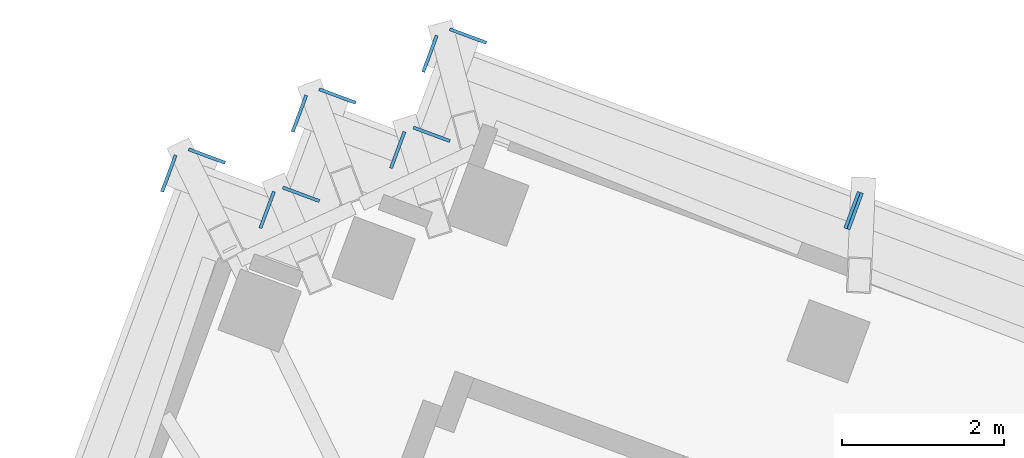
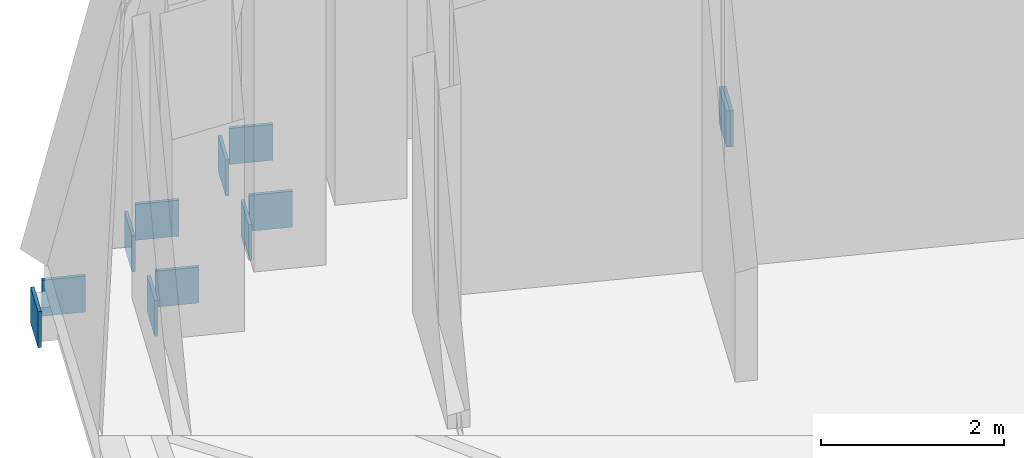
# One storey, part 11 of 12: 12 discrete accessories, 7 elements without a shape of their own.
"""IFC4 building model written with IfcOpenShell, lengths in metres."""

from ifc_helpers import new_model, si_unit, direction, frame, origin, place, context, subcontext, project, spatial, polyline, outline, extrude, material, layer, layer_set, type_object, element, aggregate, save


model = new_model("IFC4")

# Units and contexts
model_context = context("Model", 3, precision=1e-05, world=origin(), true_north=direction((0.0, 1.0)))
body_context = subcontext(model_context, "Body", "Model", "MODEL_VIEW")
ifc_project = project(units=[si_unit("LENGTHUNIT", "METRE"), si_unit("AREAUNIT", "SQUARE_METRE"), si_unit("VOLUMEUNIT", "CUBIC_METRE"), si_unit("PLANEANGLEUNIT", "RADIAN"), si_unit("MASSUNIT", "GRAM", prefix="KILO")], contexts=[model_context])

# Site, building, storey
site_placement = place(None, origin())
site = spatial("IfcSite", under=ifc_project, at=site_placement, CompositionType="ELEMENT")
building_placement = place(site_placement, origin())
building = spatial("IfcBuilding", under=site, at=building_placement, Name="Cantera Rosa Tower", CompositionType="ELEMENT")
storey_placement = place(building_placement, frame((0.0, 0.0, 360.699951171875)))
storey = spatial("IfcBuildingStorey", under=building, at=storey_placement, Name="L81", CompositionType="ELEMENT", Elevation=360.699951171875)

# Curtain wall, discrete accessory
ifc_material_1 = material(Name="Aluminium frame with clear glass", Category="aluminium")
curtain_wall_type = type_object("IfcCurtainWallType", Name="CW4 CROWN GLAZING", PredefinedType="NOTDEFINED", material=ifc_material_1)
curtain_wall_1_placement = place(storey_placement, origin())
curtain_wall_1 = element("IfcCurtainWall", 1, at=curtain_wall_1_placement, inside=storey, type_object=curtain_wall_type, Name="CW4 L81-04", PredefinedType="NOTDEFINED")
ifc_material_2 = material(Name="Steel S355J2 (EN 10025-2)", Category="steel")
ifc_layer = layer(ifc_material_2, 0.030029296875)
ifc_layer_set = layer_set([ifc_layer], Name="NODE PLATE 30")
discrete_accessory_type = type_object("IfcDiscreteAccessoryType", Name="NODE PLATE 30", PredefinedType="ANCHORPLATE", material=ifc_layer_set)
discrete_accessory_1_placement = place(storey_placement, frame((0.43798828125, 14.855712890625, -0.43505859375), z_axis=(-0.937681233018, 0.347496626235, 0.0), x_axis=(0.347496626235, 0.937681233018, 0.0)))
discrete_accessory_1 = element("IfcDiscreteAccessory", 2, at=discrete_accessory_1_placement, type_object=discrete_accessory_type, Name="END PLATE TE1", PredefinedType="ANCHORPLATE", context=body_context, shape_type="SweptSolid", body=[
    extrude(outline(polyline([(0.0, 0.0), (0.4798551533622547, 0.0), (0.4798551533622547, 0.47998046875), (0.0, 0.47998046875), (0.0, 0.0)])), origin(), (0.0, 0.0, -1.0), 0.0400390625),
])
aggregate(curtain_wall_1, [discrete_accessory_1])

# Curtain wall, discrete accessories
curtain_wall_2_placement = place(storey_placement, origin())
curtain_wall_2 = element("IfcCurtainWall", 3, at=curtain_wall_2_placement, inside=storey, type_object=curtain_wall_type, Name="CW4 L81-05", PredefinedType="NOTDEFINED")
discrete_accessory_2_placement = place(storey_placement, frame((0.6796875, 15.278076171875, -0.43505859375), z_axis=(0.937742626232, -0.347330918501, 0.0), x_axis=(-0.347330918501, -0.937742626232, 0.0)))
discrete_accessory_2 = element("IfcDiscreteAccessory", 4, at=discrete_accessory_2_placement, type_object=discrete_accessory_type, Name="END PLATE TE0", PredefinedType="ANCHORPLATE", context=body_context, shape_type="SweptSolid", body=[
    extrude(outline(polyline([(0.0, 0.0), (0.4800840869406107, 0.0), (0.4800840869406107, 0.47998046875), (0.0, 0.47998046875), (0.0, 0.0)])), origin(), (0.0, 0.0, -1.0), 0.0400390625),
])
discrete_accessory_3_placement = place(storey_placement, frame((-4.76123046875, 16.7822265625, -0.43505859375), z_axis=(-0.937576914778, 0.347777987911, 0.0), x_axis=(0.347777987911, 0.937576914778, 0.0)))
discrete_accessory_3 = element("IfcDiscreteAccessory", 5, at=discrete_accessory_3_placement, type_object=discrete_accessory_type, Name="END PLATE TE1", PredefinedType="ANCHORPLATE", context=body_context, shape_type="SweptSolid", body=[
    extrude(outline(polyline([(0.0, 0.0), (0.4801689391068604, 0.0), (0.4801689391068604, 0.47998046875), (0.0, 0.47998046875), (0.0, 0.0)])), origin(), (0.0, 0.0, -1.0), 0.0400390625),
])
aggregate(curtain_wall_2, [discrete_accessory_2, discrete_accessory_3])

curtain_wall_3_placement = place(storey_placement, origin())
curtain_wall_3 = element("IfcCurtainWall", 6, at=curtain_wall_3_placement, inside=storey, type_object=curtain_wall_type, Name="CW4 L81-06", PredefinedType="NOTDEFINED")
discrete_accessory_4_placement = place(storey_placement, frame((-4.408935546875, 17.320556640625, -0.43505859375), z_axis=(0.347777987911, 0.937576914778, 0.0), x_axis=(0.937576914778, -0.347777987911, 0.0)))
discrete_accessory_4 = element("IfcDiscreteAccessory", 7, at=discrete_accessory_4_placement, type_object=discrete_accessory_type, Name="END PLATE TE0", PredefinedType="ANCHORPLATE", context=body_context, shape_type="SweptSolid", body=[
    extrude(outline(polyline([(0.0, 0.0), (0.4801689391068604, 0.0), (0.4801689391068604, 0.47998046875), (0.0, 0.47998046875), (0.0, 0.0)])), origin(), (0.0, 0.0, -1.0), 0.0400390625),
])
discrete_accessory_5_placement = place(storey_placement, frame((-4.42138671875, 15.905517578125, -0.43505859375), z_axis=(-0.347496626235, -0.937681233018, 0.0), x_axis=(-0.937681233018, 0.347496626235, 0.0)))
discrete_accessory_5 = element("IfcDiscreteAccessory", 8, at=discrete_accessory_5_placement, type_object=discrete_accessory_type, Name="END PLATE TE1", PredefinedType="ANCHORPLATE", context=body_context, shape_type="SweptSolid", body=[
    extrude(outline(polyline([(0.0, 0.0), (0.4798551533622547, 0.0), (0.4798551533622547, 0.47998046875), (0.0, 0.47998046875), (0.0, 0.0)])), origin(), (0.0, 0.0, -1.0), 0.0400390625),
])
aggregate(curtain_wall_3, [discrete_accessory_4, discrete_accessory_5])

curtain_wall_4_placement = place(storey_placement, origin())
curtain_wall_4 = element("IfcCurtainWall", 9, at=curtain_wall_4_placement, inside=storey, type_object=curtain_wall_type, Name="CW4 L81-07", PredefinedType="NOTDEFINED")
discrete_accessory_6_placement = place(storey_placement, frame((-4.954833984375, 16.031982421875, -0.43505859375), z_axis=(0.937681233018, -0.347496626235, 0.0), x_axis=(-0.347496626235, -0.937681233018, 0.0)))
discrete_accessory_6 = element("IfcDiscreteAccessory", 10, at=discrete_accessory_6_placement, type_object=discrete_accessory_type, Name="END PLATE TE0", PredefinedType="ANCHORPLATE", context=body_context, shape_type="SweptSolid", body=[
    extrude(outline(polyline([(0.0, 0.0), (0.4798551533622547, 0.0), (0.4798551533622547, 0.47998046875), (0.0, 0.47998046875), (0.0, 0.0)])), origin(), (0.0, 0.0, -1.0), 0.0400390625),
])
discrete_accessory_7_placement = place(storey_placement, frame((-6.369384765625, 16.04443359375, -0.43505859375), z_axis=(-0.937742626232, 0.347330918501, 0.0), x_axis=(0.347330918501, 0.937742626232, 0.0)))
discrete_accessory_7 = element("IfcDiscreteAccessory", 11, at=discrete_accessory_7_placement, type_object=discrete_accessory_type, Name="END PLATE TE1", PredefinedType="ANCHORPLATE", context=body_context, shape_type="SweptSolid", body=[
    extrude(outline(polyline([(0.0, 0.0), (0.4800840869406107, 0.0), (0.4800840869406107, 0.47998046875), (0.0, 0.47998046875), (0.0, 0.0)])), origin(), (0.0, 0.0, -1.0), 0.0400390625),
])
aggregate(curtain_wall_4, [discrete_accessory_6, discrete_accessory_7])

curtain_wall_5_placement = place(storey_placement, origin())
curtain_wall_5 = element("IfcCurtainWall", 12, at=curtain_wall_5_placement, inside=storey, type_object=curtain_wall_type, Name="CW4 L81-08", PredefinedType="NOTDEFINED")
discrete_accessory_8_placement = place(storey_placement, frame((-6.01708984375, 16.5810546875, -0.43505859375), z_axis=(0.347943850259, 0.93751537431, 0.0), x_axis=(0.93751537431, -0.347943850259, 0.0)))
discrete_accessory_8 = element("IfcDiscreteAccessory", 13, at=discrete_accessory_8_placement, type_object=discrete_accessory_type, Name="END PLATE TE0", PredefinedType="ANCHORPLATE", context=body_context, shape_type="SweptSolid", body=[
    extrude(outline(polyline([(0.0, 0.0), (0.47994004600337425, 0.0), (0.47994004600337425, 0.47998046875), (0.0, 0.47998046875), (0.0, 0.0)])), origin(), (0.0, 0.0, -1.0), 0.0400390625),
])
discrete_accessory_9_placement = place(storey_placement, frame((-6.029541015625, 15.166015625, -0.43505859375), z_axis=(-0.347943850259, -0.93751537431, 0.0), x_axis=(-0.93751537431, 0.347943850259, 0.0)))
discrete_accessory_9 = element("IfcDiscreteAccessory", 14, at=discrete_accessory_9_placement, type_object=discrete_accessory_type, Name="END PLATE TE1", PredefinedType="ANCHORPLATE", context=body_context, shape_type="SweptSolid", body=[
    extrude(outline(polyline([(0.0, 0.0), (0.47994004600337425, 0.0), (0.47994004600337425, 0.47998046875), (0.0, 0.47998046875), (0.0, 0.0)])), origin(), (0.0, 0.0, -1.0), 0.0400390625),
])
aggregate(curtain_wall_5, [discrete_accessory_8, discrete_accessory_9])

curtain_wall_6_placement = place(storey_placement, origin())
curtain_wall_6 = element("IfcCurtainWall", 15, at=curtain_wall_6_placement, inside=storey, type_object=curtain_wall_type, Name="CW4 L81-09", PredefinedType="NOTDEFINED")
discrete_accessory_10_placement = place(storey_placement, frame((-6.563232421875, 15.294189453125, -0.43505859375), z_axis=(0.937742626232, -0.347330918501, 0.0), x_axis=(-0.347330918501, -0.937742626232, 0.0)))
discrete_accessory_10 = element("IfcDiscreteAccessory", 16, at=discrete_accessory_10_placement, type_object=discrete_accessory_type, Name="END PLATE TE0", PredefinedType="ANCHORPLATE", context=body_context, shape_type="SweptSolid", body=[
    extrude(outline(polyline([(0.0, 0.0), (0.4800840869406107, 0.0), (0.4800840869406107, 0.47998046875), (0.0, 0.47998046875), (0.0, 0.0)])), origin(), (0.0, 0.0, -1.0), 0.0400390625),
])
discrete_accessory_11_placement = place(storey_placement, frame((-7.97802734375, 15.306396484375, -0.43505859375), z_axis=(-0.937742626232, 0.347330918501, 0.0), x_axis=(0.347330918501, 0.937742626232, 0.0)))
discrete_accessory_11 = element("IfcDiscreteAccessory", 17, at=discrete_accessory_11_placement, type_object=discrete_accessory_type, Name="END PLATE TE1", PredefinedType="ANCHORPLATE", context=body_context, shape_type="SweptSolid", body=[
    extrude(outline(polyline([(0.0, 0.0), (0.4800840869406107, 0.0), (0.4800840869406107, 0.47998046875), (0.0, 0.47998046875), (0.0, 0.0)])), origin(), (0.0, 0.0, -1.0), 0.0400390625),
])
aggregate(curtain_wall_6, [discrete_accessory_10, discrete_accessory_11])

# Curtain wall, discrete accessory
curtain_wall_7_placement = place(storey_placement, origin())
curtain_wall_7 = element("IfcCurtainWall", 18, at=curtain_wall_7_placement, inside=storey, type_object=curtain_wall_type, Name="CW4 L81-10", PredefinedType="NOTDEFINED")
discrete_accessory_12_placement = place(storey_placement, frame((-7.625244140625, 15.841552734375, -0.43505859375), z_axis=(0.347330918501, 0.937742626232, 0.0), x_axis=(0.937742626232, -0.347330918501, 0.0)))
discrete_accessory_12 = element("IfcDiscreteAccessory", 19, at=discrete_accessory_12_placement, type_object=discrete_accessory_type, Name="END PLATE TE0", PredefinedType="ANCHORPLATE", context=body_context, shape_type="SweptSolid", body=[
    extrude(outline(polyline([(0.0, 0.0), (0.4800840869406107, 0.0), (0.4800840869406107, 0.47998046875), (0.0, 0.47998046875), (0.0, 0.0)])), origin(), (0.0, 0.0, -1.0), 0.0400390625),
])
aggregate(curtain_wall_7, [discrete_accessory_12])

save(model, "model.ifc")
